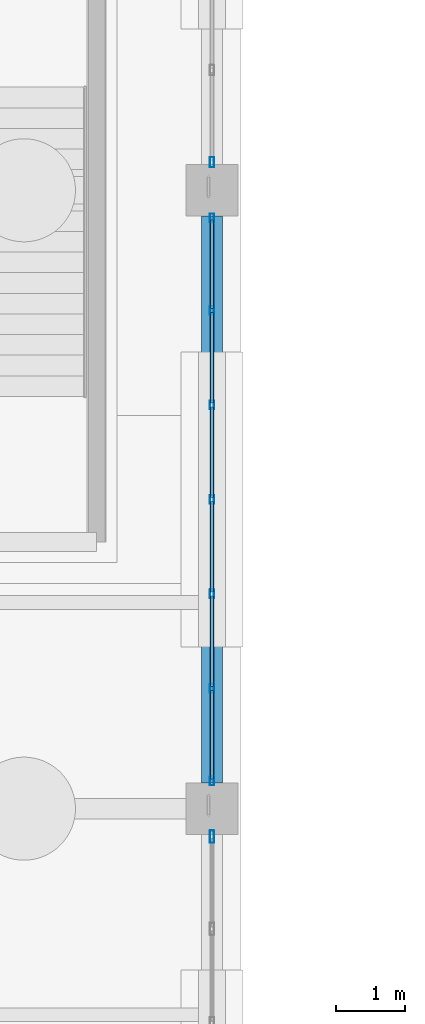
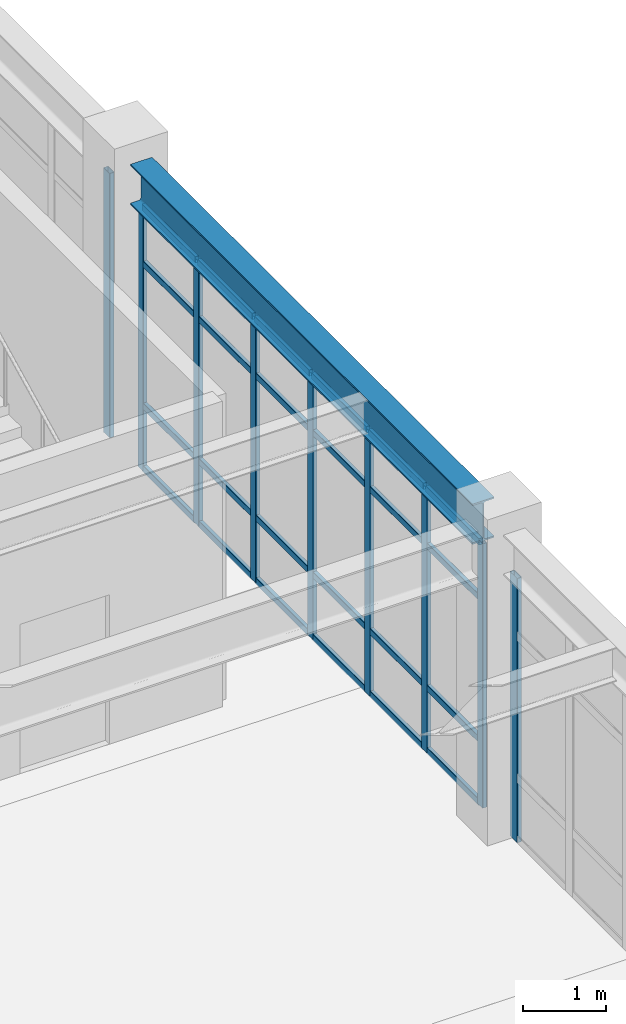
# One storey, part 74 of 139: 33 members, 1 beam, 3 elements without a shape of their own.
"""IFC4 building model written with IfcOpenShell, lengths in metres."""

from ifc_helpers import new_model, si_unit, direction, frame, origin, origin_2d, place, context, subcontext, project, spatial, hollow_rectangle, i_section, extrude, material, material_profile, profile_set, type_object, element, aggregate, save


model = new_model("IFC4")

# Units and contexts
model_context = context("Model", 3, precision=1e-05, world=origin(), true_north=direction((0.0, 1.0)))
body_context = subcontext(model_context, "Body", "Model", "MODEL_VIEW")
ifc_project = project(units=[si_unit("LENGTHUNIT", "METRE"), si_unit("AREAUNIT", "SQUARE_METRE"), si_unit("VOLUMEUNIT", "CUBIC_METRE"), si_unit("PLANEANGLEUNIT", "RADIAN"), si_unit("MASSUNIT", "GRAM", prefix="KILO")], contexts=[model_context])

# Site, building, storey
site_placement = place(None, origin())
site = spatial("IfcSite", under=ifc_project, at=site_placement, CompositionType="ELEMENT")
building_placement = place(site_placement, origin())
building = spatial("IfcBuilding", under=site, at=building_placement, Name="Canglan Escarpment Cableway Terminal", CompositionType="ELEMENT")
storey_placement = place(building_placement, frame((0.0, 0.0, 14.39990234375)))
storey = spatial("IfcBuildingStorey", under=building, at=storey_placement, Name="L03", CompositionType="ELEMENT", Elevation=14.39990234375)

# Beam
ifc_material_1 = material(Name="Steel Q355C", Category="steel")
ifc_material_profile_1 = material_profile(ifc_material_1, i_section(OverallWidth=0.302001953125, OverallDepth=0.593994140625, WebThickness=0.013916015625, FlangeThickness=0.02294921875, FilletRadius=0.028076171875, at=origin_2d()), Name="HM 594x302x14x23")
ifc_profile_set_1 = profile_set([ifc_material_profile_1], Name="Steel Q355C")
beam_type = type_object("IfcBeamType", Name="BM-HM594", PredefinedType="BEAM", material=ifc_profile_set_1)
beam_placement = place(storey_placement, frame((166.39990234375, 88.375, 4.203125), z_axis=(0.0, 1.0, 0.0), x_axis=(-1.0, 0.0, 0.0)))
element("IfcBeam", 1, at=beam_placement, inside=storey, type_object=beam_type, Name="Primary transverse girder B-07", PredefinedType="BEAM", context=body_context, shape_type="SweptSolid", body=[
    extrude(i_section(OverallWidth=0.302001953125, OverallDepth=0.593994140625, WebThickness=0.013916015625, FlangeThickness=0.02294921875, FilletRadius=0.028076171875, at=origin_2d()), origin(), (0.0, 0.0, 1.0), 8.25),
])

# Curtain wall, members
ifc_material_2 = material(Name="Anodized bronze aluminium and Low-E double glazing", Category="aluminium")
curtain_wall_type = type_object("IfcCurtainWallType", Name="CW-BAY-8250x3900", PredefinedType="NOTDEFINED", material=ifc_material_2)
curtain_wall_1_placement = place(storey_placement, origin())
curtain_wall_1 = element("IfcCurtainWall", 2, at=curtain_wall_1_placement, inside=storey, type_object=curtain_wall_type, Name="Classical bay-between-piers glazed curtain wall CW-62", PredefinedType="NOTDEFINED")
ifc_material_3 = material(Name="Thermally broken anodized aluminium 6063-T6", Category="aluminium")
ifc_material_profile_2 = material_profile(ifc_material_3, hollow_rectangle(XDim=0.06005859375, YDim=0.1298828125, WallThickness=0.0029296875, InnerFilletRadius=0.0029296875, OuterFilletRadius=0.006103515625, at=origin_2d()), Name="ALU-MULL 60x130x3")
ifc_profile_set_2 = profile_set([ifc_material_profile_2], Name="Thermally broken anodized aluminium 6063-T6")
member_type_1 = type_object("IfcMemberType", Name="CWM-01", PredefinedType="MULLION", material=ifc_profile_set_2)
member_1_placement = place(storey_placement, frame((166.39990234375, 88.405029296875, 0.0), z_axis=(0.0, 0.0, 1.0), x_axis=(-1.0, 0.0, 0.0)))
member_1 = element("IfcMember", 3, at=member_1_placement, type_object=member_type_1, Name="CW-62 mullion 1", PredefinedType="MULLION", context=body_context, shape_type="SweptSolid", body=[
    extrude(hollow_rectangle(XDim=0.06005859375, YDim=0.1298828125, WallThickness=0.0029296875, InnerFilletRadius=0.0029296875, OuterFilletRadius=0.006103515625, at=origin_2d()), origin(), (0.0, 0.0, 1.0), 3.89111328125),
])
member_2_placement = place(storey_placement, frame((166.39990234375, 89.75, 0.0), z_axis=(0.0, 0.0, 1.0), x_axis=(-1.0, 0.0, 0.0)))
member_2 = element("IfcMember", 4, at=member_2_placement, type_object=member_type_1, Name="CW-62 mullion 2", PredefinedType="MULLION", context=body_context, shape_type="SweptSolid", body=[
    extrude(hollow_rectangle(XDim=0.06005859375, YDim=0.1298828125, WallThickness=0.0029296875, InnerFilletRadius=0.0029296875, OuterFilletRadius=0.006103515625, at=origin_2d()), origin(), (0.0, 0.0, 1.0), 3.89111328125),
])
member_3_placement = place(storey_placement, frame((166.39990234375, 91.125, 0.0), z_axis=(0.0, 0.0, 1.0), x_axis=(-1.0, 0.0, 0.0)))
member_3 = element("IfcMember", 5, at=member_3_placement, type_object=member_type_1, Name="CW-62 mullion 3", PredefinedType="MULLION", context=body_context, shape_type="SweptSolid", body=[
    extrude(hollow_rectangle(XDim=0.06005859375, YDim=0.1298828125, WallThickness=0.0029296875, InnerFilletRadius=0.0029296875, OuterFilletRadius=0.006103515625, at=origin_2d()), origin(), (0.0, 0.0, 1.0), 3.89111328125),
])
member_4_placement = place(storey_placement, frame((166.39990234375, 92.5, 0.0), z_axis=(0.0, 0.0, 1.0), x_axis=(-1.0, 0.0, 0.0)))
member_4 = element("IfcMember", 6, at=member_4_placement, type_object=member_type_1, Name="CW-62 mullion 4", PredefinedType="MULLION", context=body_context, shape_type="SweptSolid", body=[
    extrude(hollow_rectangle(XDim=0.06005859375, YDim=0.1298828125, WallThickness=0.0029296875, InnerFilletRadius=0.0029296875, OuterFilletRadius=0.006103515625, at=origin_2d()), origin(), (0.0, 0.0, 1.0), 3.89111328125),
])
member_5_placement = place(storey_placement, frame((166.39990234375, 93.875, 0.0), z_axis=(0.0, 0.0, 1.0), x_axis=(-1.0, 0.0, 0.0)))
member_5 = element("IfcMember", 7, at=member_5_placement, type_object=member_type_1, Name="CW-62 mullion 5", PredefinedType="MULLION", context=body_context, shape_type="SweptSolid", body=[
    extrude(hollow_rectangle(XDim=0.06005859375, YDim=0.1298828125, WallThickness=0.0029296875, InnerFilletRadius=0.0029296875, OuterFilletRadius=0.006103515625, at=origin_2d()), origin(), (0.0, 0.0, 1.0), 3.89111328125),
])
member_6_placement = place(storey_placement, frame((166.39990234375, 95.25, 0.0), z_axis=(0.0, 0.0, 1.0), x_axis=(-1.0, 0.0, 0.0)))
member_6 = element("IfcMember", 8, at=member_6_placement, type_object=member_type_1, Name="CW-62 mullion 6", PredefinedType="MULLION", context=body_context, shape_type="SweptSolid", body=[
    extrude(hollow_rectangle(XDim=0.06005859375, YDim=0.1298828125, WallThickness=0.0029296875, InnerFilletRadius=0.0029296875, OuterFilletRadius=0.006103515625, at=origin_2d()), origin(), (0.0, 0.0, 1.0), 3.89111328125),
])
member_7_placement = place(storey_placement, frame((166.39990234375, 96.594970703125, 0.0), z_axis=(0.0, 0.0, 1.0), x_axis=(-1.0, 0.0, 0.0)))
member_7 = element("IfcMember", 9, at=member_7_placement, type_object=member_type_1, Name="CW-62 mullion 7", PredefinedType="MULLION", context=body_context, shape_type="SweptSolid", body=[
    extrude(hollow_rectangle(XDim=0.06005859375, YDim=0.1298828125, WallThickness=0.0029296875, InnerFilletRadius=0.0029296875, OuterFilletRadius=0.006103515625, at=origin_2d()), origin(), (0.0, 0.0, 1.0), 3.89111328125),
])

# Curtain wall, member
curtain_wall_2_placement = place(storey_placement, origin())
curtain_wall_2 = element("IfcCurtainWall", 10, at=curtain_wall_2_placement, inside=storey, type_object=curtain_wall_type, Name="Classical bay-between-piers glazed curtain wall CW-62", PredefinedType="NOTDEFINED")
ifc_material_profile_3 = material_profile(ifc_material_3, hollow_rectangle(XDim=0.06494140625, YDim=0.14990234375, WallThickness=0.00341796875, InnerFilletRadius=0.00341796875, OuterFilletRadius=0.007080078125, at=origin_2d()), Name="ALU-MULL 65x150x3.5")
ifc_profile_set_3 = profile_set([ifc_material_profile_3], Name="Thermally broken anodized aluminium 6063-T6")
member_type_2 = type_object("IfcMemberType", Name="CWM-02", PredefinedType="MULLION", material=ifc_profile_set_3)
member_8_placement = place(storey_placement, frame((166.39990234375, 97.407470703125, 0.0), z_axis=(0.0, 0.0, 1.0), x_axis=(-1.0, 0.0, 0.0)))
member_8 = element("IfcMember", 11, at=member_8_placement, type_object=member_type_2, Name="CW-62 mullion 1", PredefinedType="MULLION", context=body_context, shape_type="SweptSolid", body=[
    extrude(hollow_rectangle(XDim=0.06494140625, YDim=0.14990234375, WallThickness=0.00341796875, InnerFilletRadius=0.00341796875, OuterFilletRadius=0.007080078125, at=origin_2d()), origin(), (0.0, 0.0, 1.0), 3.89111328125),
])
aggregate(curtain_wall_2, [member_8])

curtain_wall_3_placement = place(storey_placement, origin())
curtain_wall_3 = element("IfcCurtainWall", 12, at=curtain_wall_3_placement, inside=storey, type_object=curtain_wall_type, Name="Classical bay-between-piers glazed curtain wall CW-62", PredefinedType="NOTDEFINED")
ifc_material_profile_4 = material_profile(ifc_material_3, hollow_rectangle(XDim=0.06494140625, YDim=0.179931640625, WallThickness=0.00390625, InnerFilletRadius=0.00390625, OuterFilletRadius=0.008056640625, at=origin_2d()), Name="ALU-MULL 65x180x4")
ifc_profile_set_4 = profile_set([ifc_material_profile_4], Name="Thermally broken anodized aluminium 6063-T6")
member_type_3 = type_object("IfcMemberType", Name="CWM-03", PredefinedType="MULLION", material=ifc_profile_set_4)
member_9_placement = place(storey_placement, frame((166.39990234375, 87.592529296875, 0.0), z_axis=(0.0, 0.0, 1.0), x_axis=(-1.0, 0.0, 0.0)))
member_9 = element("IfcMember", 13, at=member_9_placement, type_object=member_type_3, Name="CW-62 mullion 7", PredefinedType="MULLION", context=body_context, shape_type="SweptSolid", body=[
    extrude(hollow_rectangle(XDim=0.06494140625, YDim=0.179931640625, WallThickness=0.00390625, InnerFilletRadius=0.00390625, OuterFilletRadius=0.008056640625, at=origin_2d()), origin(), (0.0, 0.0, 1.0), 3.89111328125),
])
aggregate(curtain_wall_3, [member_9])

# Member
ifc_material_profile_5 = material_profile(ifc_material_3, hollow_rectangle(XDim=0.054931640625, YDim=0.094970703125, WallThickness=0.0029296875, InnerFilletRadius=0.0029296875, OuterFilletRadius=0.006103515625, at=origin_2d()), Name="ALU-TRAN 55x95x3")
ifc_profile_set_5 = profile_set([ifc_material_profile_5], Name="Thermally broken anodized aluminium 6063-T6")
member_type_4 = type_object("IfcMemberType", Name="CWT-01", PredefinedType="USERDEFINED", material=ifc_profile_set_5)
member_10_placement = place(storey_placement, frame((166.39990234375, 88.43505859375, 0.027587890625), z_axis=(0.0, 1.0, 0.0), x_axis=(-1.0, 0.0, 0.0)))
member_10 = element("IfcMember", 14, at=member_10_placement, type_object=member_type_4, Name="CW-62 transom 1.1", ObjectType="TRANSOM", PredefinedType="USERDEFINED", context=body_context, shape_type="SweptSolid", body=[
    extrude(hollow_rectangle(XDim=0.054931640625, YDim=0.094970703125, WallThickness=0.0029296875, InnerFilletRadius=0.0029296875, OuterFilletRadius=0.006103515625, at=origin_2d()), origin(), (0.0, 0.0, 1.0), 1.284912109375),
])

member_11_placement = place(storey_placement, frame((166.39990234375, 88.43505859375, 0.9501953125), z_axis=(0.0, 1.0, 0.0), x_axis=(-1.0, 0.0, 0.0)))
member_11 = element("IfcMember", 15, at=member_11_placement, type_object=member_type_4, Name="CW-62 transom 1.2", ObjectType="TRANSOM", PredefinedType="USERDEFINED", context=body_context, shape_type="SweptSolid", body=[
    extrude(hollow_rectangle(XDim=0.054931640625, YDim=0.094970703125, WallThickness=0.0029296875, InnerFilletRadius=0.0029296875, OuterFilletRadius=0.006103515625, at=origin_2d()), origin(), (0.0, 0.0, 1.0), 1.284912109375),
])

member_12_placement = place(storey_placement, frame((166.39990234375, 88.43505859375, 3.041015625), z_axis=(0.0, 1.0, 0.0), x_axis=(-1.0, 0.0, 0.0)))
member_12 = element("IfcMember", 16, at=member_12_placement, type_object=member_type_4, Name="CW-62 transom 1.3", ObjectType="TRANSOM", PredefinedType="USERDEFINED", context=body_context, shape_type="SweptSolid", body=[
    extrude(hollow_rectangle(XDim=0.054931640625, YDim=0.094970703125, WallThickness=0.0029296875, InnerFilletRadius=0.0029296875, OuterFilletRadius=0.006103515625, at=origin_2d()), origin(), (0.0, 0.0, 1.0), 1.284912109375),
])

member_13_placement = place(storey_placement, frame((166.39990234375, 88.43505859375, 3.863525390625), z_axis=(0.0, 1.0, 0.0), x_axis=(-1.0, 0.0, 0.0)))
member_13 = element("IfcMember", 17, at=member_13_placement, type_object=member_type_4, Name="CW-62 transom 1.4", ObjectType="TRANSOM", PredefinedType="USERDEFINED", context=body_context, shape_type="SweptSolid", body=[
    extrude(hollow_rectangle(XDim=0.054931640625, YDim=0.094970703125, WallThickness=0.0029296875, InnerFilletRadius=0.0029296875, OuterFilletRadius=0.006103515625, at=origin_2d()), origin(), (0.0, 0.0, 1.0), 1.284912109375),
])

member_14_placement = place(storey_placement, frame((166.39990234375, 89.780029296875, 0.027587890625), z_axis=(0.0, 1.0, 0.0), x_axis=(-1.0, 0.0, 0.0)))
member_14 = element("IfcMember", 18, at=member_14_placement, type_object=member_type_4, Name="CW-62 transom 2.1", ObjectType="TRANSOM", PredefinedType="USERDEFINED", context=body_context, shape_type="SweptSolid", body=[
    extrude(hollow_rectangle(XDim=0.054931640625, YDim=0.094970703125, WallThickness=0.0029296875, InnerFilletRadius=0.0029296875, OuterFilletRadius=0.006103515625, at=origin_2d()), origin(), (0.0, 0.0, 1.0), 1.31494140625),
])

member_15_placement = place(storey_placement, frame((166.39990234375, 89.780029296875, 0.9501953125), z_axis=(0.0, 1.0, 0.0), x_axis=(-1.0, 0.0, 0.0)))
member_15 = element("IfcMember", 19, at=member_15_placement, type_object=member_type_4, Name="CW-62 transom 2.2", ObjectType="TRANSOM", PredefinedType="USERDEFINED", context=body_context, shape_type="SweptSolid", body=[
    extrude(hollow_rectangle(XDim=0.054931640625, YDim=0.094970703125, WallThickness=0.0029296875, InnerFilletRadius=0.0029296875, OuterFilletRadius=0.006103515625, at=origin_2d()), origin(), (0.0, 0.0, 1.0), 1.31494140625),
])

member_16_placement = place(storey_placement, frame((166.39990234375, 89.780029296875, 3.041015625), z_axis=(0.0, 1.0, 0.0), x_axis=(-1.0, 0.0, 0.0)))
member_16 = element("IfcMember", 20, at=member_16_placement, type_object=member_type_4, Name="CW-62 transom 2.3", ObjectType="TRANSOM", PredefinedType="USERDEFINED", context=body_context, shape_type="SweptSolid", body=[
    extrude(hollow_rectangle(XDim=0.054931640625, YDim=0.094970703125, WallThickness=0.0029296875, InnerFilletRadius=0.0029296875, OuterFilletRadius=0.006103515625, at=origin_2d()), origin(), (0.0, 0.0, 1.0), 1.31494140625),
])

member_17_placement = place(storey_placement, frame((166.39990234375, 89.780029296875, 3.863525390625), z_axis=(0.0, 1.0, 0.0), x_axis=(-1.0, 0.0, 0.0)))
member_17 = element("IfcMember", 21, at=member_17_placement, type_object=member_type_4, Name="CW-62 transom 2.4", ObjectType="TRANSOM", PredefinedType="USERDEFINED", context=body_context, shape_type="SweptSolid", body=[
    extrude(hollow_rectangle(XDim=0.054931640625, YDim=0.094970703125, WallThickness=0.0029296875, InnerFilletRadius=0.0029296875, OuterFilletRadius=0.006103515625, at=origin_2d()), origin(), (0.0, 0.0, 1.0), 1.31494140625),
])

member_18_placement = place(storey_placement, frame((166.39990234375, 91.155029296875, 0.027587890625), z_axis=(0.0, 1.0, 0.0), x_axis=(-1.0, 0.0, 0.0)))
member_18 = element("IfcMember", 22, at=member_18_placement, type_object=member_type_4, Name="CW-62 transom 3.1", ObjectType="TRANSOM", PredefinedType="USERDEFINED", context=body_context, shape_type="SweptSolid", body=[
    extrude(hollow_rectangle(XDim=0.054931640625, YDim=0.094970703125, WallThickness=0.0029296875, InnerFilletRadius=0.0029296875, OuterFilletRadius=0.006103515625, at=origin_2d()), origin(), (0.0, 0.0, 1.0), 1.31494140625),
])

member_19_placement = place(storey_placement, frame((166.39990234375, 91.155029296875, 0.9501953125), z_axis=(0.0, 1.0, 0.0), x_axis=(-1.0, 0.0, 0.0)))
member_19 = element("IfcMember", 23, at=member_19_placement, type_object=member_type_4, Name="CW-62 transom 3.2", ObjectType="TRANSOM", PredefinedType="USERDEFINED", context=body_context, shape_type="SweptSolid", body=[
    extrude(hollow_rectangle(XDim=0.054931640625, YDim=0.094970703125, WallThickness=0.0029296875, InnerFilletRadius=0.0029296875, OuterFilletRadius=0.006103515625, at=origin_2d()), origin(), (0.0, 0.0, 1.0), 1.31494140625),
])

member_20_placement = place(storey_placement, frame((166.39990234375, 91.155029296875, 3.041015625), z_axis=(0.0, 1.0, 0.0), x_axis=(-1.0, 0.0, 0.0)))
member_20 = element("IfcMember", 24, at=member_20_placement, type_object=member_type_4, Name="CW-62 transom 3.3", ObjectType="TRANSOM", PredefinedType="USERDEFINED", context=body_context, shape_type="SweptSolid", body=[
    extrude(hollow_rectangle(XDim=0.054931640625, YDim=0.094970703125, WallThickness=0.0029296875, InnerFilletRadius=0.0029296875, OuterFilletRadius=0.006103515625, at=origin_2d()), origin(), (0.0, 0.0, 1.0), 1.31494140625),
])

member_21_placement = place(storey_placement, frame((166.39990234375, 91.155029296875, 3.863525390625), z_axis=(0.0, 1.0, 0.0), x_axis=(-1.0, 0.0, 0.0)))
member_21 = element("IfcMember", 25, at=member_21_placement, type_object=member_type_4, Name="CW-62 transom 3.4", ObjectType="TRANSOM", PredefinedType="USERDEFINED", context=body_context, shape_type="SweptSolid", body=[
    extrude(hollow_rectangle(XDim=0.054931640625, YDim=0.094970703125, WallThickness=0.0029296875, InnerFilletRadius=0.0029296875, OuterFilletRadius=0.006103515625, at=origin_2d()), origin(), (0.0, 0.0, 1.0), 1.31494140625),
])

member_22_placement = place(storey_placement, frame((166.39990234375, 92.530029296875, 0.027587890625), z_axis=(0.0, 1.0, 0.0), x_axis=(-1.0, 0.0, 0.0)))
member_22 = element("IfcMember", 26, at=member_22_placement, type_object=member_type_4, Name="CW-62 transom 4.1", ObjectType="TRANSOM", PredefinedType="USERDEFINED", context=body_context, shape_type="SweptSolid", body=[
    extrude(hollow_rectangle(XDim=0.054931640625, YDim=0.094970703125, WallThickness=0.0029296875, InnerFilletRadius=0.0029296875, OuterFilletRadius=0.006103515625, at=origin_2d()), origin(), (0.0, 0.0, 1.0), 1.31494140625),
])

member_23_placement = place(storey_placement, frame((166.39990234375, 92.530029296875, 0.9501953125), z_axis=(0.0, 1.0, 0.0), x_axis=(-1.0, 0.0, 0.0)))
member_23 = element("IfcMember", 27, at=member_23_placement, type_object=member_type_4, Name="CW-62 transom 4.2", ObjectType="TRANSOM", PredefinedType="USERDEFINED", context=body_context, shape_type="SweptSolid", body=[
    extrude(hollow_rectangle(XDim=0.054931640625, YDim=0.094970703125, WallThickness=0.0029296875, InnerFilletRadius=0.0029296875, OuterFilletRadius=0.006103515625, at=origin_2d()), origin(), (0.0, 0.0, 1.0), 1.31494140625),
])

member_24_placement = place(storey_placement, frame((166.39990234375, 92.530029296875, 3.041015625), z_axis=(0.0, 1.0, 0.0), x_axis=(-1.0, 0.0, 0.0)))
member_24 = element("IfcMember", 28, at=member_24_placement, type_object=member_type_4, Name="CW-62 transom 4.3", ObjectType="TRANSOM", PredefinedType="USERDEFINED", context=body_context, shape_type="SweptSolid", body=[
    extrude(hollow_rectangle(XDim=0.054931640625, YDim=0.094970703125, WallThickness=0.0029296875, InnerFilletRadius=0.0029296875, OuterFilletRadius=0.006103515625, at=origin_2d()), origin(), (0.0, 0.0, 1.0), 1.31494140625),
])

member_25_placement = place(storey_placement, frame((166.39990234375, 92.530029296875, 3.863525390625), z_axis=(0.0, 1.0, 0.0), x_axis=(-1.0, 0.0, 0.0)))
member_25 = element("IfcMember", 29, at=member_25_placement, type_object=member_type_4, Name="CW-62 transom 4.4", ObjectType="TRANSOM", PredefinedType="USERDEFINED", context=body_context, shape_type="SweptSolid", body=[
    extrude(hollow_rectangle(XDim=0.054931640625, YDim=0.094970703125, WallThickness=0.0029296875, InnerFilletRadius=0.0029296875, OuterFilletRadius=0.006103515625, at=origin_2d()), origin(), (0.0, 0.0, 1.0), 1.31494140625),
])

member_26_placement = place(storey_placement, frame((166.39990234375, 93.905029296875, 0.027587890625), z_axis=(0.0, 1.0, 0.0), x_axis=(-1.0, 0.0, 0.0)))
member_26 = element("IfcMember", 30, at=member_26_placement, type_object=member_type_4, Name="CW-62 transom 5.1", ObjectType="TRANSOM", PredefinedType="USERDEFINED", context=body_context, shape_type="SweptSolid", body=[
    extrude(hollow_rectangle(XDim=0.054931640625, YDim=0.094970703125, WallThickness=0.0029296875, InnerFilletRadius=0.0029296875, OuterFilletRadius=0.006103515625, at=origin_2d()), origin(), (0.0, 0.0, 1.0), 1.31494140625),
])

member_27_placement = place(storey_placement, frame((166.39990234375, 93.905029296875, 0.9501953125), z_axis=(0.0, 1.0, 0.0), x_axis=(-1.0, 0.0, 0.0)))
member_27 = element("IfcMember", 31, at=member_27_placement, type_object=member_type_4, Name="CW-62 transom 5.2", ObjectType="TRANSOM", PredefinedType="USERDEFINED", context=body_context, shape_type="SweptSolid", body=[
    extrude(hollow_rectangle(XDim=0.054931640625, YDim=0.094970703125, WallThickness=0.0029296875, InnerFilletRadius=0.0029296875, OuterFilletRadius=0.006103515625, at=origin_2d()), origin(), (0.0, 0.0, 1.0), 1.31494140625),
])

member_28_placement = place(storey_placement, frame((166.39990234375, 93.905029296875, 3.041015625), z_axis=(0.0, 1.0, 0.0), x_axis=(-1.0, 0.0, 0.0)))
member_28 = element("IfcMember", 32, at=member_28_placement, type_object=member_type_4, Name="CW-62 transom 5.3", ObjectType="TRANSOM", PredefinedType="USERDEFINED", context=body_context, shape_type="SweptSolid", body=[
    extrude(hollow_rectangle(XDim=0.054931640625, YDim=0.094970703125, WallThickness=0.0029296875, InnerFilletRadius=0.0029296875, OuterFilletRadius=0.006103515625, at=origin_2d()), origin(), (0.0, 0.0, 1.0), 1.31494140625),
])

member_29_placement = place(storey_placement, frame((166.39990234375, 93.905029296875, 3.863525390625), z_axis=(0.0, 1.0, 0.0), x_axis=(-1.0, 0.0, 0.0)))
member_29 = element("IfcMember", 33, at=member_29_placement, type_object=member_type_4, Name="CW-62 transom 5.4", ObjectType="TRANSOM", PredefinedType="USERDEFINED", context=body_context, shape_type="SweptSolid", body=[
    extrude(hollow_rectangle(XDim=0.054931640625, YDim=0.094970703125, WallThickness=0.0029296875, InnerFilletRadius=0.0029296875, OuterFilletRadius=0.006103515625, at=origin_2d()), origin(), (0.0, 0.0, 1.0), 1.31494140625),
])

member_30_placement = place(storey_placement, frame((166.39990234375, 95.280029296875, 0.027587890625), z_axis=(0.0, 1.0, 0.0), x_axis=(-1.0, 0.0, 0.0)))
member_30 = element("IfcMember", 34, at=member_30_placement, type_object=member_type_4, Name="CW-62 transom 6.1", ObjectType="TRANSOM", PredefinedType="USERDEFINED", context=body_context, shape_type="SweptSolid", body=[
    extrude(hollow_rectangle(XDim=0.054931640625, YDim=0.094970703125, WallThickness=0.0029296875, InnerFilletRadius=0.0029296875, OuterFilletRadius=0.006103515625, at=origin_2d()), origin(), (0.0, 0.0, 1.0), 1.284912109375),
])

member_31_placement = place(storey_placement, frame((166.39990234375, 95.280029296875, 0.9501953125), z_axis=(0.0, 1.0, 0.0), x_axis=(-1.0, 0.0, 0.0)))
member_31 = element("IfcMember", 35, at=member_31_placement, type_object=member_type_4, Name="CW-62 transom 6.2", ObjectType="TRANSOM", PredefinedType="USERDEFINED", context=body_context, shape_type="SweptSolid", body=[
    extrude(hollow_rectangle(XDim=0.054931640625, YDim=0.094970703125, WallThickness=0.0029296875, InnerFilletRadius=0.0029296875, OuterFilletRadius=0.006103515625, at=origin_2d()), origin(), (0.0, 0.0, 1.0), 1.284912109375),
])

member_32_placement = place(storey_placement, frame((166.39990234375, 95.280029296875, 3.041015625), z_axis=(0.0, 1.0, 0.0), x_axis=(-1.0, 0.0, 0.0)))
member_32 = element("IfcMember", 36, at=member_32_placement, type_object=member_type_4, Name="CW-62 transom 6.3", ObjectType="TRANSOM", PredefinedType="USERDEFINED", context=body_context, shape_type="SweptSolid", body=[
    extrude(hollow_rectangle(XDim=0.054931640625, YDim=0.094970703125, WallThickness=0.0029296875, InnerFilletRadius=0.0029296875, OuterFilletRadius=0.006103515625, at=origin_2d()), origin(), (0.0, 0.0, 1.0), 1.284912109375),
])

member_33_placement = place(storey_placement, frame((166.39990234375, 95.280029296875, 3.863525390625), z_axis=(0.0, 1.0, 0.0), x_axis=(-1.0, 0.0, 0.0)))
member_33 = element("IfcMember", 37, at=member_33_placement, type_object=member_type_4, Name="CW-62 transom 6.4", ObjectType="TRANSOM", PredefinedType="USERDEFINED", context=body_context, shape_type="SweptSolid", body=[
    extrude(hollow_rectangle(XDim=0.054931640625, YDim=0.094970703125, WallThickness=0.0029296875, InnerFilletRadius=0.0029296875, OuterFilletRadius=0.006103515625, at=origin_2d()), origin(), (0.0, 0.0, 1.0), 1.284912109375),
])

aggregate(curtain_wall_1, [member_1, member_2, member_3, member_4, member_5, member_6, member_7, member_10, member_11, member_12, member_13, member_14, member_15, member_16, member_17, member_18, member_19, member_20, member_21, member_22, member_23, member_24, member_25, member_26, member_27, member_28, member_29, member_30, member_31, member_32, member_33])

save(model, "model.ifc")
